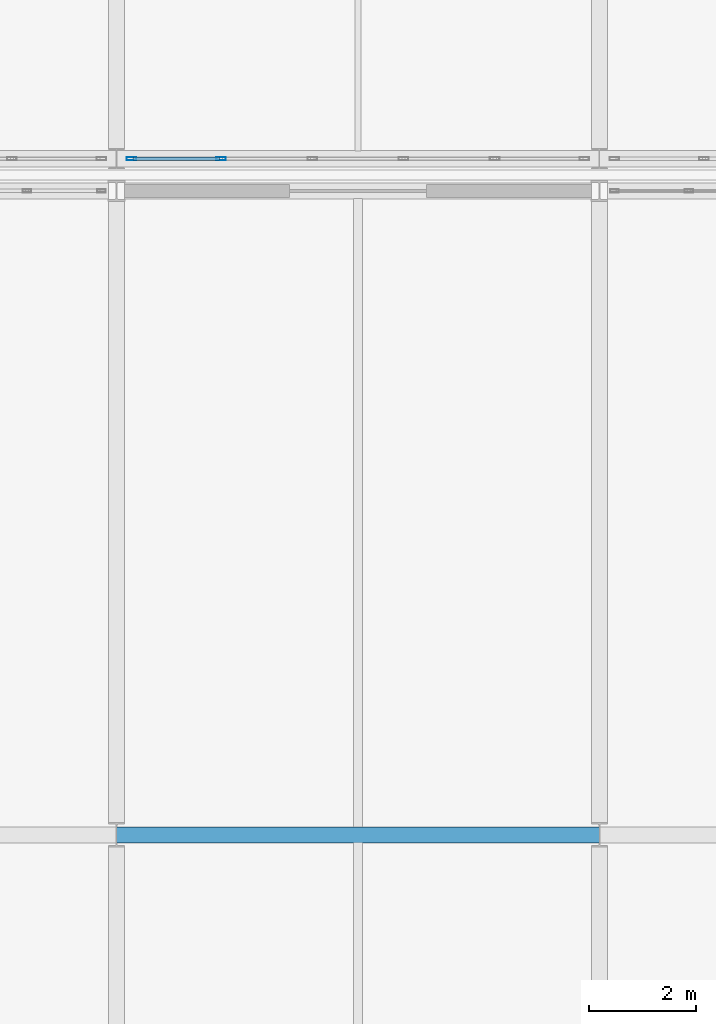
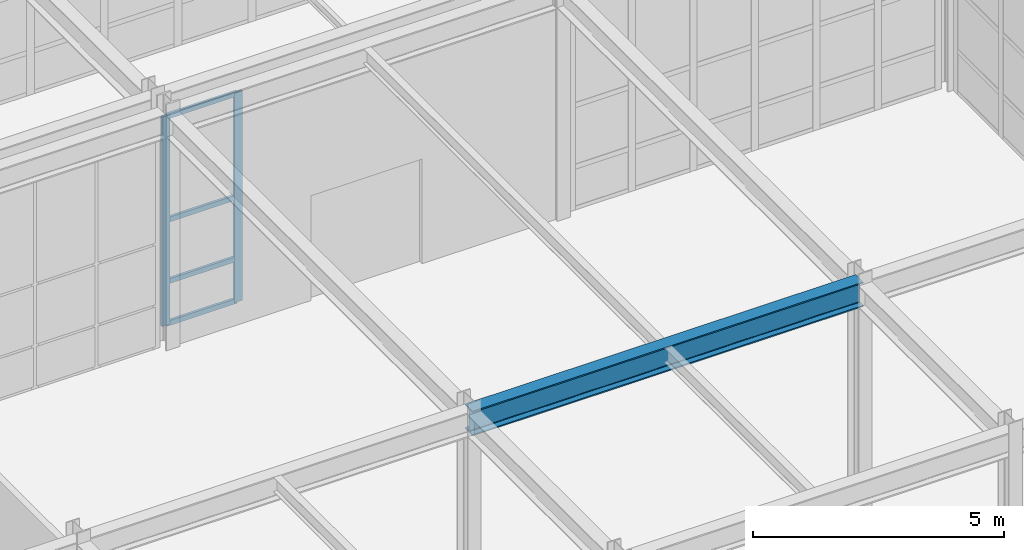
# One storey, part 42 of 146: 6 members, 1 beam, 1 element without a shape of its own.
"""IFC4 building model written with IfcOpenShell, lengths in metres."""

from ifc_helpers import new_model, si_unit, direction, frame, origin, origin_2d, place, context, subcontext, project, spatial, hollow_rectangle, i_section, extrude, material, material_profile, profile_set, type_object, element, aggregate, save


model = new_model("IFC4")

# Units and contexts
model_context = context("Model", 3, precision=1e-05, world=origin(), true_north=direction((0.0, 1.0)))
body_context = subcontext(model_context, "Body", "Model", "MODEL_VIEW")
ifc_project = project(units=[si_unit("LENGTHUNIT", "METRE"), si_unit("AREAUNIT", "SQUARE_METRE"), si_unit("VOLUMEUNIT", "CUBIC_METRE"), si_unit("PLANEANGLEUNIT", "RADIAN"), si_unit("MASSUNIT", "GRAM", prefix="KILO")], contexts=[model_context])

# Site, building, storey
site_placement = place(None, origin())
site = spatial("IfcSite", under=ifc_project, at=site_placement, CompositionType="ELEMENT")
building_placement = place(site_placement, origin())
building = spatial("IfcBuilding", under=site, at=building_placement, Name="Kaldris Quays Convention Centre", CompositionType="ELEMENT")
storey_placement = place(building_placement, origin())
storey = spatial("IfcBuildingStorey", under=building, at=storey_placement, Name="L00", CompositionType="ELEMENT", Elevation=0.0)

# Curtain wall, members
ifc_material_1 = material(Name="Anodized aluminium AW-6060 and triple glazing", Category="aluminium")
curtain_wall_type = type_object("IfcCurtainWallType", Name="UNITISED CURTAIN WALL CW02", PredefinedType="NOTDEFINED", material=ifc_material_1)
curtain_wall_placement = place(storey_placement, origin())
curtain_wall = element("IfcCurtainWall", 1, at=curtain_wall_placement, inside=storey, type_object=curtain_wall_type, Name="L00 Unitised Curtain Wall CW02 86", PredefinedType="NOTDEFINED")
ifc_material_2 = material(Name="Anodized aluminium AW-6060", Category="aluminium")
ifc_material_profile_1 = material_profile(ifc_material_2, hollow_rectangle(XDim=0.06005859375, YDim=0.179931640625, WallThickness=0.0048828125, at=origin_2d()), Name="RHS 180x60x5")
ifc_profile_set_1 = profile_set([ifc_material_profile_1], Name="Anodized aluminium AW-6060")
member_type_1 = type_object("IfcMemberType", Name="CURTAIN MULLION CWM2", PredefinedType="MULLION", material=ifc_profile_set_1)
member_1_placement = place(storey_placement, frame((65.280029296875, 46.60009765625, 0.0), z_axis=(0.0, 0.0, 1.0), x_axis=(0.0, 1.0, 0.0)))
member_1 = element("IfcMember", 2, at=member_1_placement, type_object=member_type_1, Name="CW02 mullion 1", PredefinedType="MULLION", context=body_context, shape_type="SweptSolid", body=[
    extrude(hollow_rectangle(XDim=0.06005859375, YDim=0.179931640625, WallThickness=0.0048828125, at=origin_2d()), origin(), (0.0, 0.0, 1.0), 5.10009765625),
])
member_2_placement = place(storey_placement, frame((66.949951171875, 46.60009765625, 0.0), z_axis=(0.0, 0.0, 1.0), x_axis=(0.0, 1.0, 0.0)))
member_2 = element("IfcMember", 3, at=member_2_placement, type_object=member_type_1, Name="CW02 mullion 2", PredefinedType="MULLION", context=body_context, shape_type="SweptSolid", body=[
    extrude(hollow_rectangle(XDim=0.06005859375, YDim=0.179931640625, WallThickness=0.0048828125, at=origin_2d()), origin(), (0.0, 0.0, 1.0), 5.10009765625),
])
ifc_material_profile_2 = material_profile(ifc_material_2, hollow_rectangle(XDim=0.06005859375, YDim=0.1201171875, WallThickness=0.00390625, at=origin_2d()), Name="RHS 120x60x4")
ifc_profile_set_2 = profile_set([ifc_material_profile_2], Name="Anodized aluminium AW-6060")
member_type_2 = type_object("IfcMemberType", Name="CURTAIN TRANSOM CWT1", PredefinedType="USERDEFINED", material=ifc_profile_set_2)
member_3_placement = place(storey_placement, frame((65.31005859375, 46.60009765625, 0.030029296875), z_axis=(1.0, 0.0, 0.0), x_axis=(0.0, 1.0, 0.0)))
member_3 = element("IfcMember", 4, at=member_3_placement, type_object=member_type_2, Name="CW02 transom 1.1", ObjectType="TRANSOM", PredefinedType="USERDEFINED", context=body_context, shape_type="SweptSolid", body=[
    extrude(hollow_rectangle(XDim=0.06005859375, YDim=0.1201171875, WallThickness=0.00390625, at=origin_2d()), origin(), (0.0, 0.0, 1.0), 1.60986328125),
])
member_4_placement = place(storey_placement, frame((65.31005859375, 46.60009765625, 1.050048828125), z_axis=(1.0, 0.0, 0.0), x_axis=(0.0, 1.0, 0.0)))
member_4 = element("IfcMember", 5, at=member_4_placement, type_object=member_type_2, Name="CW02 transom 1.2", ObjectType="TRANSOM", PredefinedType="USERDEFINED", context=body_context, shape_type="SweptSolid", body=[
    extrude(hollow_rectangle(XDim=0.06005859375, YDim=0.1201171875, WallThickness=0.00390625, at=origin_2d()), origin(), (0.0, 0.0, 1.0), 1.60986328125),
])
member_5_placement = place(storey_placement, frame((65.31005859375, 46.60009765625, 2.550048828125), z_axis=(1.0, 0.0, 0.0), x_axis=(0.0, 1.0, 0.0)))
member_5 = element("IfcMember", 6, at=member_5_placement, type_object=member_type_2, Name="CW02 transom 1.3", ObjectType="TRANSOM", PredefinedType="USERDEFINED", context=body_context, shape_type="SweptSolid", body=[
    extrude(hollow_rectangle(XDim=0.06005859375, YDim=0.1201171875, WallThickness=0.00390625, at=origin_2d()), origin(), (0.0, 0.0, 1.0), 1.60986328125),
])
member_6_placement = place(storey_placement, frame((65.31005859375, 46.60009765625, 5.070068359375), z_axis=(1.0, 0.0, 0.0), x_axis=(0.0, 1.0, 0.0)))
member_6 = element("IfcMember", 7, at=member_6_placement, type_object=member_type_2, Name="CW02 transom 1.4", ObjectType="TRANSOM", PredefinedType="USERDEFINED", context=body_context, shape_type="SweptSolid", body=[
    extrude(hollow_rectangle(XDim=0.06005859375, YDim=0.1201171875, WallThickness=0.00390625, at=origin_2d()), origin(), (0.0, 0.0, 1.0), 1.60986328125),
])
aggregate(curtain_wall, [member_1, member_2, member_3, member_4, member_5, member_6])

# Beam
ifc_material_3 = material(Name="Steel S355J2", Category="steel")
ifc_material_profile_3 = material_profile(ifc_material_3, i_section(OverallWidth=0.300048828125, OverallDepth=0.60009765625, WebThickness=0.015380859375, FlangeThickness=0.030029296875, FilletRadius=0.027099609375, at=origin_2d()), Name="HEB 600")
ifc_profile_set_3 = profile_set([ifc_material_profile_3], Name="Steel S355J2")
beam_type = type_object("IfcBeamType", Name="STRUCTURAL BEAM BM05", PredefinedType="BEAM", material=ifc_profile_set_3)
beam_placement = place(storey_placement, frame((65.0009765625, 34.0, 5.423095703125), z_axis=(1.0, 0.0, 0.0), x_axis=(0.0, 1.0, 0.0)))
element("IfcBeam", 8, at=beam_placement, inside=storey, type_object=beam_type, Name="L00 Girder BM05 18", PredefinedType="BEAM", context=body_context, shape_type="SweptSolid", body=[
    extrude(i_section(OverallWidth=0.300048828125, OverallDepth=0.60009765625, WebThickness=0.015380859375, FlangeThickness=0.030029296875, FilletRadius=0.027099609375, at=origin_2d()), origin(), (0.0, 0.0, 1.0), 8.998046875),
])

save(model, "model.ifc")
